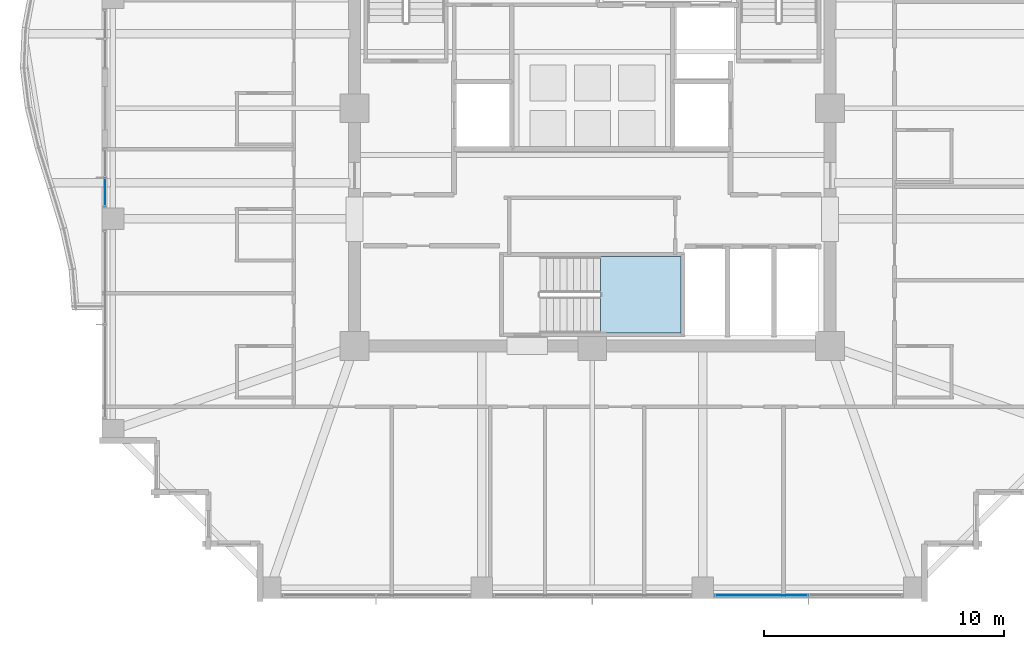
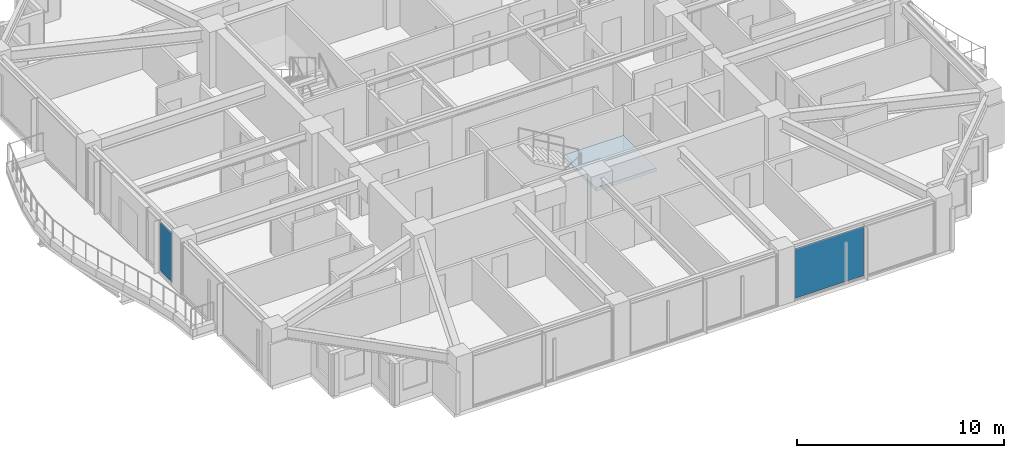
# One storey, part 22 of 34: 2 plates, 1 slab, 3 elements without a shape of their own.
"""IFC4 building model written with IfcOpenShell, lengths in metres."""

import ifcopenshell
import ifcopenshell.guid

model = None  # the IFC model being written
_history = None  # IfcOwnerHistory: only IFC2X3 demands one
_inside = {}  # id of a spatial element -> (the spatial element, [elements in it])
_under = {}  # id of a project, library or spatial element -> (it, [spatial elements below it])
_declared = {}  # id of a project -> (the project, [libraries it declares])
_typed = {}  # id of a type object -> (the type object, [elements of that type])
_made_of = {}  # id of a material, layer set ... -> (it, [elements and type objects made of it])


def new_model(schema):
    """Start an empty IFC model of exactly this schema.

    Asked for "IFC4X3", IfcOpenShell would pick the latest addendum, in which some entities
    have other attributes; the version numbers below select the first issue.
    IFC2X3 requires an IfcOwnerHistory on every rooted entity: one is made here for all.
    """
    global model, _history
    if schema == "IFC4X3":
        model = ifcopenshell.file(schema_version=(4, 3, 0, 0))
    else:
        model = ifcopenshell.file(schema=schema)
    _inside.clear()
    _under.clear()
    _declared.clear()
    _typed.clear()
    _made_of.clear()
    _history = None
    if model.schema == "IFC2X3":
        org = make("IfcOrganization", Name="unknown")
        user = make(
            "IfcPersonAndOrganization",
            ThePerson=make("IfcPerson", FamilyName="unknown"),
            TheOrganization=org,
        )
        app = make(
            "IfcApplication",
            ApplicationDeveloper=org,
            Version="unknown",
            ApplicationFullName="unknown",
            ApplicationIdentifier="unknown",
        )
        _history = make(
            "IfcOwnerHistory",
            OwningUser=user,
            OwningApplication=app,
            ChangeAction="ADDED",
            CreationDate=0,
        )
    return model


def make(cls, **values):
    """One entity of the class cls with the attributes given. An attribute that is None is left unset."""
    return model.create_entity(
        cls, **{name: value for name, value in values.items() if value is not None}
    )


def rooted(cls, **values):
    """An entity with a GlobalId (a new one), such as an element, a storey or a relation."""
    return make(cls, GlobalId=ifcopenshell.guid.new(), OwnerHistory=_history, **values)


def si_unit(unit_type, name, prefix=None):
    """IfcSIUnit, for example si_unit("LENGTHUNIT", "METRE", prefix="MILLI")."""
    return make("IfcSIUnit", UnitType=unit_type, Prefix=prefix, Name=name)


def assignment(units):
    """IfcUnitAssignment: the units of a project."""
    return None if units is None else make("IfcUnitAssignment", Units=units)


def point(xyz):
    """IfcCartesianPoint."""
    return None if xyz is None else make("IfcCartesianPoint", Coordinates=xyz)


def direction(xyz):
    """IfcDirection."""
    return None if xyz is None else make("IfcDirection", DirectionRatios=xyz)


def frame(location, z_axis=None, x_axis=None):
    """IfcAxis2Placement3D, a coordinate frame: its origin and axes. An axis left out is left unset."""
    return make(
        "IfcAxis2Placement3D",
        Location=point(location),
        Axis=direction(z_axis),
        RefDirection=direction(x_axis),
    )


def frame_2d(location, x_axis=None):
    """IfcAxis2Placement2D, a coordinate frame in the plane: its origin and x axis."""
    return make(
        "IfcAxis2Placement2D", Location=point(location), RefDirection=direction(x_axis)
    )


def origin():
    """The frame at (0, 0, 0) with its axes left unset."""
    return frame((0.0, 0.0, 0.0))


def origin_2d():
    """The frame at (0, 0) in the plane with its x axis left unset."""
    return frame_2d((0.0, 0.0))


def place(relative_to, where):
    """IfcLocalPlacement: puts the frame where relative to a parent placement (None: the world)."""
    return make(
        "IfcLocalPlacement", PlacementRelTo=relative_to, RelativePlacement=where
    )


def context(
    kind, dimensions, precision=None, world=None, true_north=None, identifier=None
):
    """IfcGeometricRepresentationContext, for example the 3D "Model" context."""
    return make(
        "IfcGeometricRepresentationContext",
        ContextIdentifier=identifier,
        ContextType=kind,
        CoordinateSpaceDimension=dimensions,
        Precision=precision,
        WorldCoordinateSystem=world,
        TrueNorth=true_north,
    )


def subcontext(parent, identifier, kind, view, scale=None):
    """IfcGeometricRepresentationSubContext, for example "Body" below "Model"."""
    return make(
        "IfcGeometricRepresentationSubContext",
        ContextIdentifier=identifier,
        ContextType=kind,
        ParentContext=parent,
        TargetScale=scale,
        TargetView=view,
    )


def project(units=None, contexts=None):
    """IfcProject with its units and contexts."""
    return rooted(
        "IfcProject",
        Name="project",
        RepresentationContexts=contexts,
        UnitsInContext=assignment(units),
    )


def spatial(cls, under=None, at=None, **own):
    """A site, building, storey or space (cls), placed at a placement, below another one or the project."""
    s = rooted(cls, ObjectPlacement=at, **own)
    if under is not None:
        _under.setdefault(under.id(), (under, []))[1].append(s)
    return s


def polyline(points):
    """IfcPolyline through the points."""
    return make("IfcPolyline", Points=[point(p) for p in points])


def profile(cls, at=None, kind="AREA", **sizes):
    """A parametric profile (cls). Its sizes go by their IFC names, for example OverallWidth=200.0."""
    return make(cls, ProfileType=kind, Position=at, **sizes)


def rectangle(**sizes):
    """IfcRectangleProfileDef."""
    return profile("IfcRectangleProfileDef", **sizes)


def outline(outer, holes=None, kind="AREA"):
    """IfcArbitraryClosedProfileDef: a profile drawn as a closed curve; with holes, ...WithVoids."""
    if holes is None:
        return make("IfcArbitraryClosedProfileDef", ProfileType=kind, OuterCurve=outer)
    return make(
        "IfcArbitraryProfileDefWithVoids",
        ProfileType=kind,
        OuterCurve=outer,
        InnerCurves=holes,
    )


def extrude(swept, where, along, depth):
    """IfcExtrudedAreaSolid: the profile swept, set in the frame where, extruded along a direction by depth."""
    return make(
        "IfcExtrudedAreaSolid",
        SweptArea=swept,
        Position=where,
        ExtrudedDirection=direction(along),
        Depth=depth,
    )


def shape(context_of_items, identifier, shape_type, items):
    """IfcShapeRepresentation: the items that make up one representation, for example the "Body"."""
    return make(
        "IfcShapeRepresentation",
        ContextOfItems=context_of_items,
        RepresentationIdentifier=identifier,
        RepresentationType=shape_type,
        Items=items,
    )


def material(Name=None, Category=None):
    """IfcMaterial."""
    return make("IfcMaterial", Name=Name, Category=Category)


def layer(
    of_material, thickness, ventilated=None, Name=None, Category=None, Priority=None
):
    """IfcMaterialLayer: one layer of a wall or slab, of a material (None: an air gap)."""
    return make(
        "IfcMaterialLayer",
        Material=of_material,
        LayerThickness=thickness,
        IsVentilated=ventilated,
        Name=Name,
        Category=Category,
        Priority=Priority,
    )


def layer_set(layers, Name=None):
    """IfcMaterialLayerSet."""
    return make("IfcMaterialLayerSet", MaterialLayers=layers, LayerSetName=Name)


def made_of(thing, what):
    """Note that an element or type object is made of a material, layer set ...; save() writes the relation."""
    if what is not None:
        _made_of.setdefault(what.id(), (what, []))[1].append(thing)
    return thing


def type_object(cls, material=None, **own):
    """A type object (cls), such as IfcWallType, which elements share."""
    return made_of(rooted(cls, **own), material)


def element(
    cls,
    number,
    at=None,
    inside=None,
    cuts=None,
    type_object=None,
    material=None,
    context=None,
    identifier="Body",
    shape_type=None,
    held_by="IfcProductDefinitionShape",
    body=None,
    shapes=None,
    **own,
):
    """One element of the class cls, such as IfcWall. Its Tag is "e" and its number.

    at: its placement. inside: the storey or other place that contains it. cuts: it is an
    opening in that element (IfcRelVoidsElement). A single representation is given by context,
    identifier, shape_type and body (its items); several are given by shapes. held_by: the class
    of the entity that holds the representations. save() writes the other relations.
    """
    e = rooted(cls, Tag="e%d" % number, ObjectPlacement=at, **own)
    if body is not None:
        shapes = [shape(context, identifier, shape_type, body)]
    if shapes is not None:
        e.Representation = make(held_by, Representations=shapes)
    if inside is not None:
        _inside.setdefault(inside.id(), (inside, []))[1].append(e)
    if cuts is not None:
        rooted(
            "IfcRelVoidsElement", RelatingBuildingElement=cuts, RelatedOpeningElement=e
        )
    if type_object is not None:
        _typed.setdefault(type_object.id(), (type_object, []))[1].append(e)
    return made_of(e, material)


def aggregate(whole, parts):
    """IfcRelAggregates: a whole, such as a stair, and the parts it consists of."""
    return rooted("IfcRelAggregates", RelatingObject=whole, RelatedObjects=parts)


def save(model, path):
    """Write the relations noted so far, then the file.

    IfcRelAggregates (storeys below a building ...), IfcRelContainedInSpatialStructure (elements
    in a storey), IfcRelDefinesByType, IfcRelAssociatesMaterial and IfcRelDeclares: one each for
    every whole, place, type object, material and project.
    """
    for whole, parts in _under.values():
        aggregate(whole, parts)
    for where, things in _inside.values():
        rooted(
            "IfcRelContainedInSpatialStructure",
            RelatedElements=things,
            RelatingStructure=where,
        )
    for kind, things in _typed.values():
        rooted("IfcRelDefinesByType", RelatedObjects=things, RelatingType=kind)
    for what, things in _made_of.values():
        rooted("IfcRelAssociatesMaterial", RelatedObjects=things, RelatingMaterial=what)
    for by, libraries in _declared.values():
        rooted("IfcRelDeclares", RelatingContext=by, RelatedDefinitions=libraries)
    model.write(path)


model = new_model("IFC4")

# Units and contexts
model_context = context("Model", 3, precision=1e-05, world=origin(), true_north=direction((0.0, 1.0)))
body_context = subcontext(model_context, "Body", "Model", "MODEL_VIEW")
ifc_project = project(units=[si_unit("LENGTHUNIT", "METRE"), si_unit("AREAUNIT", "SQUARE_METRE"), si_unit("VOLUMEUNIT", "CUBIC_METRE"), si_unit("PLANEANGLEUNIT", "RADIAN"), si_unit("MASSUNIT", "GRAM", prefix="KILO")], contexts=[model_context])

# Site, building, storey
site_placement = place(None, origin())
site = spatial("IfcSite", under=ifc_project, at=site_placement, CompositionType="ELEMENT")
building_placement = place(site_placement, origin())
building = spatial("IfcBuilding", under=site, at=building_placement, Name="Kolvaren Belvedere", CompositionType="ELEMENT")
storey_placement = place(building_placement, frame((0.0, 0.0, 189.89990234375)))
storey = spatial("IfcBuildingStorey", under=building, at=storey_placement, Name="L55", CompositionType="ELEMENT", Elevation=189.89990234375)

# Curtain wall, plate
ifc_material_1 = material(Name="Anodised pale-metal aluminium AA 6063-T6", Category="aluminium")
curtain_wall_type = type_object("IfcCurtainWallType", Name="CW-Z5-HIGH", PredefinedType="NOTDEFINED", material=ifc_material_1)
curtain_wall_1_placement = place(storey_placement, origin())
curtain_wall_1 = element("IfcCurtainWall", 1, at=curtain_wall_1_placement, inside=storey, type_object=curtain_wall_type, Name="L55 Unitised Curtain Wall FCW-L55-S-B1", PredefinedType="NOTDEFINED")
ifc_material_2 = material(Name="Low-iron triple insulated glass", Category="glass")
ifc_layer_1 = layer(ifc_material_2, 0.028076171875)
ifc_layer_set_1 = layer_set([ifc_layer_1], Name="Low-iron triple insulated glass")
plate_type = type_object("IfcPlateType", Name="CW-PNL-VIS28", PredefinedType="CURTAIN_PANEL", material=ifc_layer_set_1)
plate_1_placement = place(storey_placement, frame((7.052490234375, -20.280029296875, 0.080078125), z_axis=(0.0, 0.0, 1.0), x_axis=(-1.0, 0.0, 0.0)))
plate_1 = element("IfcPlate", 2, at=plate_1_placement, type_object=plate_type, Name="FCW-L55-S-B1 Vision Glazing Panel 2", PredefinedType="CURTAIN_PANEL", context=body_context, shape_type="SweptSolid", body=[
    extrude(rectangle(XDim=3.81494140625, YDim=0.028076171875, at=origin_2d()), origin(), (0.0, 0.0, 1.0), 2.919921875),
])
aggregate(curtain_wall_1, [plate_1])

curtain_wall_2_placement = place(storey_placement, origin())
curtain_wall_2 = element("IfcCurtainWall", 3, at=curtain_wall_2_placement, inside=storey, type_object=curtain_wall_type, Name="L55 Unitised Curtain Wall FCW-L55-W1-B2", PredefinedType="NOTDEFINED")
plate_2_placement = place(storey_placement, frame((-20.280029296875, -3.4912109375, 0.080078125), z_axis=(0.0, 0.0, 1.0), x_axis=(0.0, 1.0, 0.0)))
plate_2 = element("IfcPlate", 4, at=plate_2_placement, type_object=plate_type, Name="FCW-L55-W1-B2 Vision Glazing Panel 1", PredefinedType="CURTAIN_PANEL", context=body_context, shape_type="SweptSolid", body=[
    extrude(rectangle(XDim=1.12744140625, YDim=0.028076171875, at=origin_2d()), origin(), (0.0, 0.0, 1.0), 2.919921875),
])
aggregate(curtain_wall_2, [plate_2])

# Stair, slab
ifc_material_3 = material(Name="Concrete C50/60", Category="concrete")
stair_type = type_object("IfcStairType", Name="ST-CORE-1520", PredefinedType="HALF_TURN_STAIR", material=ifc_material_3)
stair_placement = place(storey_placement, origin())
stair = element("IfcStair", 5, at=stair_placement, inside=storey, type_object=stair_type, Name="L55 Protected Exit Stair ST-3", PredefinedType="HALF_TURN_STAIR")
ifc_material_4 = material(Name="Concrete C50/60", Category="concrete")
ifc_layer_2 = layer(ifc_material_4, 0.260009765625)
ifc_layer_set_2 = layer_set([ifc_layer_2], Name="Concrete C50/60")
slab_type = type_object("IfcSlabType", Name="SL-LAND-260", PredefinedType="LANDING", material=ifc_layer_set_2)
slab_placement = place(storey_placement, frame((0.0, 0.0, 1.4501953125)))
slab = element("IfcSlab", 6, at=slab_placement, type_object=slab_type, Name="ST-3 landing 1", PredefinedType="LANDING", context=body_context, shape_type="SweptSolid", body=[
    extrude(outline(polyline([(0.340087890625, -9.35009765625), (3.699951171875, -9.35009765625), (3.699951171875, -6.159912109375), (0.340087890625, -6.159912109375), (0.340087890625, -9.35009765625)])), origin(), (0.0, 0.0, 1.0), 0.199951171875),
])
aggregate(stair, [slab])

save(model, "model.ifc")
